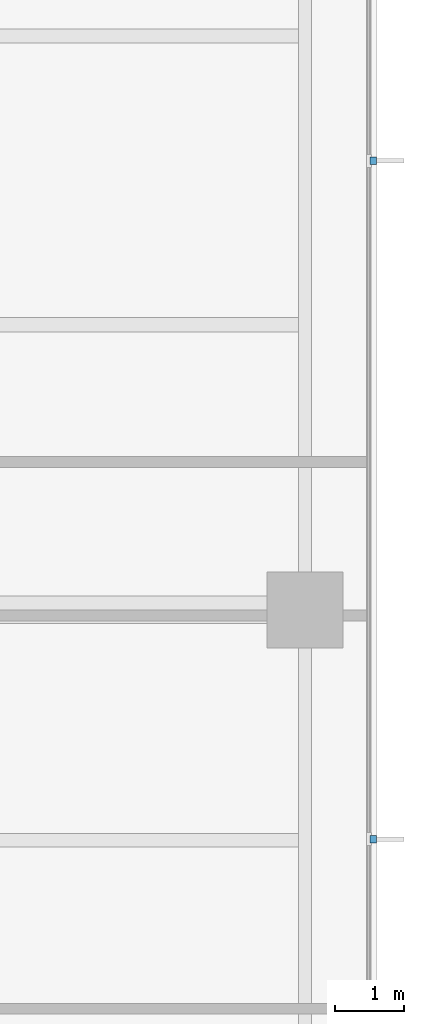
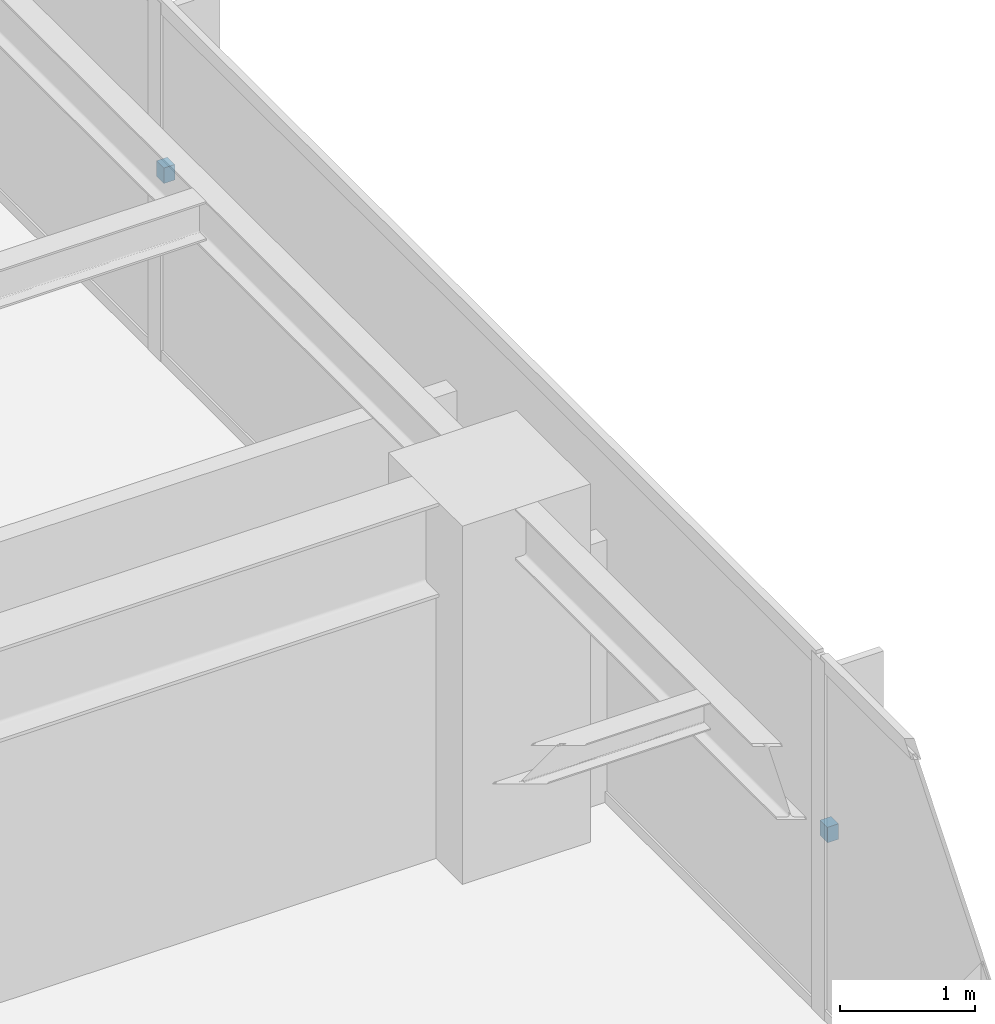
# One storey, part 12 of 15: 2 discrete accessories.
"""IFC4 building model written with IfcOpenShell, lengths in metres."""

import ifcopenshell
import ifcopenshell.guid

model = None  # the IFC model being written
_history = None  # IfcOwnerHistory: only IFC2X3 demands one
_inside = {}  # id of a spatial element -> (the spatial element, [elements in it])
_under = {}  # id of a project, library or spatial element -> (it, [spatial elements below it])
_declared = {}  # id of a project -> (the project, [libraries it declares])
_typed = {}  # id of a type object -> (the type object, [elements of that type])
_made_of = {}  # id of a material, layer set ... -> (it, [elements and type objects made of it])


def new_model(schema):
    """Start an empty IFC model of exactly this schema.

    Asked for "IFC4X3", IfcOpenShell would pick the latest addendum, in which some entities
    have other attributes; the version numbers below select the first issue.
    IFC2X3 requires an IfcOwnerHistory on every rooted entity: one is made here for all.
    """
    global model, _history
    if schema == "IFC4X3":
        model = ifcopenshell.file(schema_version=(4, 3, 0, 0))
    else:
        model = ifcopenshell.file(schema=schema)
    _inside.clear()
    _under.clear()
    _declared.clear()
    _typed.clear()
    _made_of.clear()
    _history = None
    if model.schema == "IFC2X3":
        org = make("IfcOrganization", Name="unknown")
        user = make(
            "IfcPersonAndOrganization",
            ThePerson=make("IfcPerson", FamilyName="unknown"),
            TheOrganization=org,
        )
        app = make(
            "IfcApplication",
            ApplicationDeveloper=org,
            Version="unknown",
            ApplicationFullName="unknown",
            ApplicationIdentifier="unknown",
        )
        _history = make(
            "IfcOwnerHistory",
            OwningUser=user,
            OwningApplication=app,
            ChangeAction="ADDED",
            CreationDate=0,
        )
    return model


def make(cls, **values):
    """One entity of the class cls with the attributes given. An attribute that is None is left unset."""
    return model.create_entity(
        cls, **{name: value for name, value in values.items() if value is not None}
    )


def rooted(cls, **values):
    """An entity with a GlobalId (a new one), such as an element, a storey or a relation."""
    return make(cls, GlobalId=ifcopenshell.guid.new(), OwnerHistory=_history, **values)


def si_unit(unit_type, name, prefix=None):
    """IfcSIUnit, for example si_unit("LENGTHUNIT", "METRE", prefix="MILLI")."""
    return make("IfcSIUnit", UnitType=unit_type, Prefix=prefix, Name=name)


def assignment(units):
    """IfcUnitAssignment: the units of a project."""
    return None if units is None else make("IfcUnitAssignment", Units=units)


def point(xyz):
    """IfcCartesianPoint."""
    return None if xyz is None else make("IfcCartesianPoint", Coordinates=xyz)


def direction(xyz):
    """IfcDirection."""
    return None if xyz is None else make("IfcDirection", DirectionRatios=xyz)


def frame(location, z_axis=None, x_axis=None):
    """IfcAxis2Placement3D, a coordinate frame: its origin and axes. An axis left out is left unset."""
    return make(
        "IfcAxis2Placement3D",
        Location=point(location),
        Axis=direction(z_axis),
        RefDirection=direction(x_axis),
    )


def origin():
    """The frame at (0, 0, 0) with its axes left unset."""
    return frame((0.0, 0.0, 0.0))


def place(relative_to, where):
    """IfcLocalPlacement: puts the frame where relative to a parent placement (None: the world)."""
    return make(
        "IfcLocalPlacement", PlacementRelTo=relative_to, RelativePlacement=where
    )


def context(
    kind, dimensions, precision=None, world=None, true_north=None, identifier=None
):
    """IfcGeometricRepresentationContext, for example the 3D "Model" context."""
    return make(
        "IfcGeometricRepresentationContext",
        ContextIdentifier=identifier,
        ContextType=kind,
        CoordinateSpaceDimension=dimensions,
        Precision=precision,
        WorldCoordinateSystem=world,
        TrueNorth=true_north,
    )


def subcontext(parent, identifier, kind, view, scale=None):
    """IfcGeometricRepresentationSubContext, for example "Body" below "Model"."""
    return make(
        "IfcGeometricRepresentationSubContext",
        ContextIdentifier=identifier,
        ContextType=kind,
        ParentContext=parent,
        TargetScale=scale,
        TargetView=view,
    )


def project(units=None, contexts=None):
    """IfcProject with its units and contexts."""
    return rooted(
        "IfcProject",
        Name="project",
        RepresentationContexts=contexts,
        UnitsInContext=assignment(units),
    )


def spatial(cls, under=None, at=None, **own):
    """A site, building, storey or space (cls), placed at a placement, below another one or the project."""
    s = rooted(cls, ObjectPlacement=at, **own)
    if under is not None:
        _under.setdefault(under.id(), (under, []))[1].append(s)
    return s


def polyline(points):
    """IfcPolyline through the points."""
    return make("IfcPolyline", Points=[point(p) for p in points])


def outline(outer, holes=None, kind="AREA"):
    """IfcArbitraryClosedProfileDef: a profile drawn as a closed curve; with holes, ...WithVoids."""
    if holes is None:
        return make("IfcArbitraryClosedProfileDef", ProfileType=kind, OuterCurve=outer)
    return make(
        "IfcArbitraryProfileDefWithVoids",
        ProfileType=kind,
        OuterCurve=outer,
        InnerCurves=holes,
    )


def extrude(swept, where, along, depth):
    """IfcExtrudedAreaSolid: the profile swept, set in the frame where, extruded along a direction by depth."""
    return make(
        "IfcExtrudedAreaSolid",
        SweptArea=swept,
        Position=where,
        ExtrudedDirection=direction(along),
        Depth=depth,
    )


def shape(context_of_items, identifier, shape_type, items):
    """IfcShapeRepresentation: the items that make up one representation, for example the "Body"."""
    return make(
        "IfcShapeRepresentation",
        ContextOfItems=context_of_items,
        RepresentationIdentifier=identifier,
        RepresentationType=shape_type,
        Items=items,
    )


def material(Name=None, Category=None):
    """IfcMaterial."""
    return make("IfcMaterial", Name=Name, Category=Category)


def made_of(thing, what):
    """Note that an element or type object is made of a material, layer set ...; save() writes the relation."""
    if what is not None:
        _made_of.setdefault(what.id(), (what, []))[1].append(thing)
    return thing


def type_object(cls, material=None, **own):
    """A type object (cls), such as IfcWallType, which elements share."""
    return made_of(rooted(cls, **own), material)


def element(
    cls,
    number,
    at=None,
    inside=None,
    cuts=None,
    type_object=None,
    material=None,
    context=None,
    identifier="Body",
    shape_type=None,
    held_by="IfcProductDefinitionShape",
    body=None,
    shapes=None,
    **own,
):
    """One element of the class cls, such as IfcWall. Its Tag is "e" and its number.

    at: its placement. inside: the storey or other place that contains it. cuts: it is an
    opening in that element (IfcRelVoidsElement). A single representation is given by context,
    identifier, shape_type and body (its items); several are given by shapes. held_by: the class
    of the entity that holds the representations. save() writes the other relations.
    """
    e = rooted(cls, Tag="e%d" % number, ObjectPlacement=at, **own)
    if body is not None:
        shapes = [shape(context, identifier, shape_type, body)]
    if shapes is not None:
        e.Representation = make(held_by, Representations=shapes)
    if inside is not None:
        _inside.setdefault(inside.id(), (inside, []))[1].append(e)
    if cuts is not None:
        rooted(
            "IfcRelVoidsElement", RelatingBuildingElement=cuts, RelatedOpeningElement=e
        )
    if type_object is not None:
        _typed.setdefault(type_object.id(), (type_object, []))[1].append(e)
    return made_of(e, material)


def aggregate(whole, parts):
    """IfcRelAggregates: a whole, such as a stair, and the parts it consists of."""
    return rooted("IfcRelAggregates", RelatingObject=whole, RelatedObjects=parts)


def save(model, path):
    """Write the relations noted so far, then the file.

    IfcRelAggregates (storeys below a building ...), IfcRelContainedInSpatialStructure (elements
    in a storey), IfcRelDefinesByType, IfcRelAssociatesMaterial and IfcRelDeclares: one each for
    every whole, place, type object, material and project.
    """
    for whole, parts in _under.values():
        aggregate(whole, parts)
    for where, things in _inside.values():
        rooted(
            "IfcRelContainedInSpatialStructure",
            RelatedElements=things,
            RelatingStructure=where,
        )
    for kind, things in _typed.values():
        rooted("IfcRelDefinesByType", RelatedObjects=things, RelatingType=kind)
    for what, things in _made_of.values():
        rooted("IfcRelAssociatesMaterial", RelatedObjects=things, RelatingMaterial=what)
    for by, libraries in _declared.values():
        rooted("IfcRelDeclares", RelatingContext=by, RelatedDefinitions=libraries)
    model.write(path)


model = new_model("IFC4")

# Units and contexts
model_context = context("Model", 3, precision=1e-05, world=origin(), true_north=direction((0.0, 1.0)))
body_context = subcontext(model_context, "Body", "Model", "MODEL_VIEW")
ifc_project = project(units=[si_unit("LENGTHUNIT", "METRE"), si_unit("AREAUNIT", "SQUARE_METRE"), si_unit("VOLUMEUNIT", "CUBIC_METRE"), si_unit("PLANEANGLEUNIT", "RADIAN"), si_unit("MASSUNIT", "GRAM", prefix="KILO")], contexts=[model_context])

# Site, building, storey
site_placement = place(None, origin())
site = spatial("IfcSite", under=ifc_project, at=site_placement, CompositionType="ELEMENT")
building_placement = place(site_placement, origin())
building = spatial("IfcBuilding", under=site, at=building_placement, Name="Qalmaran Belvedere Hotel", CompositionType="ELEMENT")
storey_placement = place(building_placement, frame((0.0, 0.0, 159.60009765625)))
storey = spatial("IfcBuildingStorey", under=building, at=storey_placement, Name="L40", CompositionType="ELEMENT", Elevation=159.60009765625)

# Discrete accessories
ifc_material = material(Name="Stainless Steel 1.4401", Category="steel")
discrete_accessory_type = type_object("IfcDiscreteAccessoryType", Name="BRK-FIN-SS316", PredefinedType="BRACKET", material=ifc_material)
discrete_accessory_1_placement = place(storey_placement, frame((0.0, 0.0, 1.574951171875)))
element("IfcDiscreteAccessory", 1, at=discrete_accessory_1_placement, inside=storey, type_object=discrete_accessory_type, Name="L40 Fin Bracket 1", PredefinedType="BRACKET", context=body_context, shape_type="SweptSolid", body=[
    extrude(outline(polyline([(56.094970703125, 17.11181640625), (56.18994140625, 17.11181640625), (56.18994140625, 17.2216796875), (56.094970703125, 17.2216796875), (56.094970703125, 17.11181640625)])), origin(), (0.0, 0.0, 1.0), 0.139892578125),
])
discrete_accessory_2_placement = place(storey_placement, frame((0.0, 0.0, 1.574951171875)))
element("IfcDiscreteAccessory", 2, at=discrete_accessory_2_placement, inside=storey, type_object=discrete_accessory_type, Name="L40 Fin Bracket 2", PredefinedType="BRACKET", context=body_context, shape_type="SweptSolid", body=[
    extrude(outline(polyline([(56.094970703125, 26.978271484375), (56.18994140625, 26.978271484375), (56.18994140625, 27.08837890625), (56.094970703125, 27.08837890625), (56.094970703125, 26.978271484375)])), origin(), (0.0, 0.0, 1.0), 0.139892578125),
])

save(model, "model.ifc")
